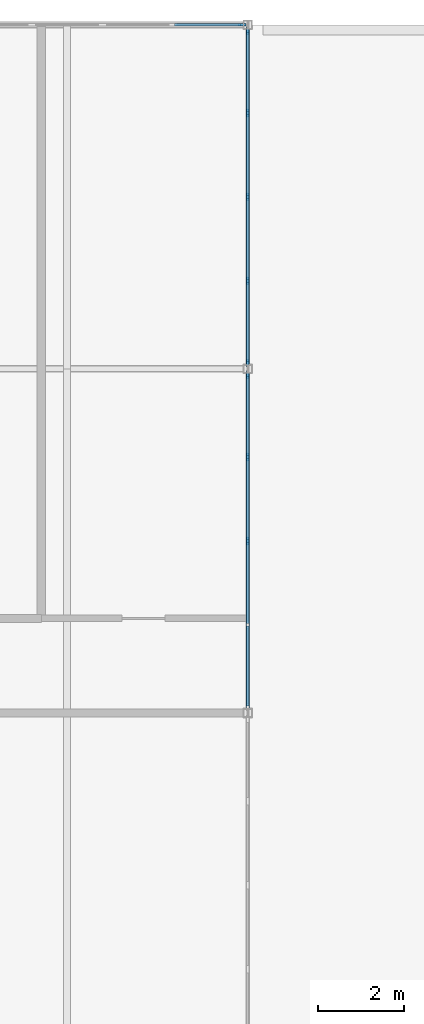
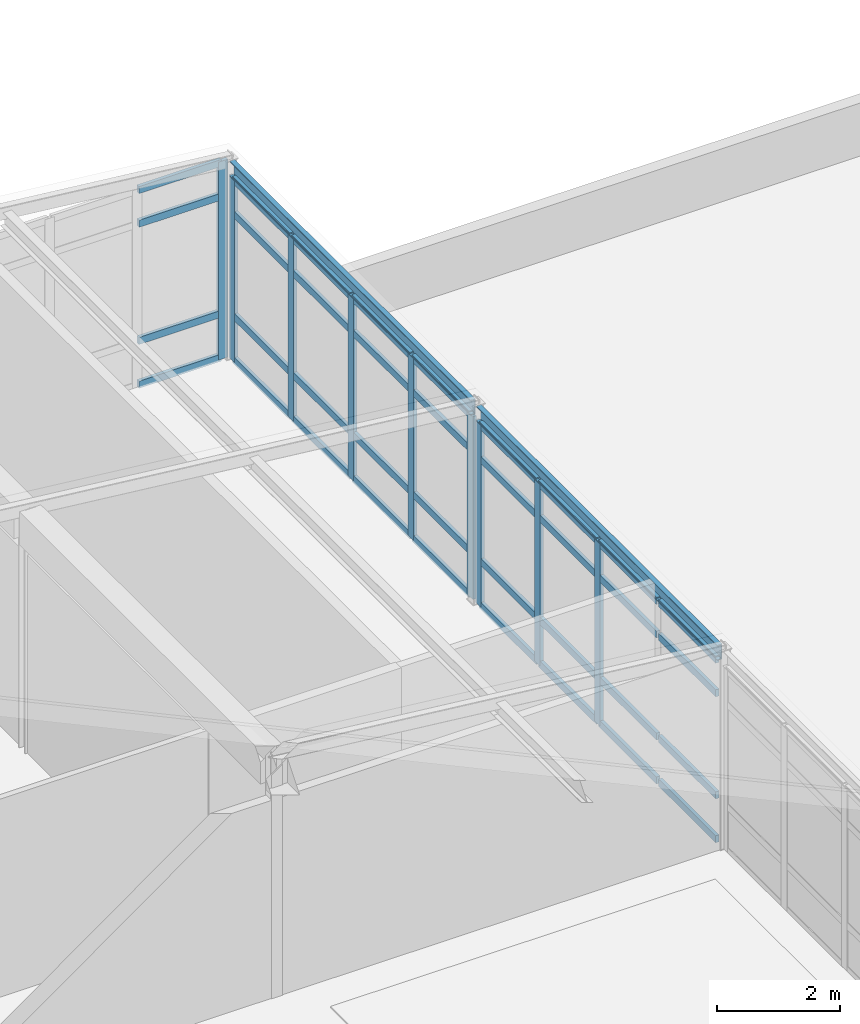
# One storey, part 14 of 25: 45 members, 2 beams, 3 elements without a shape of their own.
"""IFC4 building model written with IfcOpenShell, lengths in metres."""

from ifc_helpers import new_model, si_unit, direction, frame, origin, origin_2d, place, context, subcontext, project, spatial, rectangle, u_section, extrude, material, layer, layer_set, material_profile, profile_set, type_object, element, aggregate, save


model = new_model("IFC4")

# Units and contexts
model_context = context("Model", 3, precision=1e-05, world=origin(), true_north=direction((0.0, 1.0)))
body_context = subcontext(model_context, "Body", "Model", "MODEL_VIEW")
ifc_project = project(units=[si_unit("LENGTHUNIT", "METRE"), si_unit("AREAUNIT", "SQUARE_METRE"), si_unit("VOLUMEUNIT", "CUBIC_METRE"), si_unit("PLANEANGLEUNIT", "RADIAN"), si_unit("MASSUNIT", "GRAM", prefix="KILO")], contexts=[model_context])

# Site, building, storey
site_placement = place(None, origin())
site = spatial("IfcSite", under=ifc_project, at=site_placement, CompositionType="ELEMENT")
building_placement = place(site_placement, origin())
building = spatial("IfcBuilding", under=site, at=building_placement, Name="Kranzveld Transit Interchange", CompositionType="ELEMENT")
storey_placement = place(building_placement, frame((0.0, 0.0, 21.0400390625)))
storey = spatial("IfcBuildingStorey", under=building, at=storey_placement, Name="L05", CompositionType="ELEMENT", Elevation=21.0400390625)

# Curtain wall, members
ifc_material_1 = material(Name="Bronze-anodised thermally broken aluminium", Category="aluminium")
ifc_layer = layer(ifc_material_1, 0.18505859375)
ifc_layer_set = layer_set([ifc_layer], Name="Bronze-anodised thermally broken aluminium")
curtain_wall_type = type_object("IfcCurtainWallType", Name="Control Crown Observation Facade CW-5", PredefinedType="USERDEFINED", material=ifc_layer_set)
curtain_wall_1_placement = place(storey_placement, origin())
curtain_wall_1 = element("IfcCurtainWall", 1, at=curtain_wall_1_placement, inside=storey, type_object=curtain_wall_type, Name="L05 Curtain Wall 05/N-05/P", ObjectType="CURTAIN WALL", PredefinedType="USERDEFINED")
ifc_material_2 = material(Name="Bronze-anodised thermally broken aluminium", Category="aluminium")
ifc_material_profile_1 = material_profile(ifc_material_2, rectangle(XDim=0.06494140625, YDim=0.179931640625, at=origin_2d()), Name="ALU MULLION 65x180")
ifc_profile_set_1 = profile_set([ifc_material_profile_1], Name="Bronze-anodised thermally broken aluminium")
member_type_1 = type_object("IfcMemberType", Name="Curtain Wall Mullion 65x180 Alu", PredefinedType="MULLION", material=ifc_profile_set_1)
member_1_placement = place(storey_placement, frame((33.60009765625, 100.0, 0.0), z_axis=(0.0, 0.0, 1.0), x_axis=(-1.0, 0.0, 0.0)))
member_1 = element("IfcMember", 2, at=member_1_placement, type_object=member_type_1, Name="CW-5 mullion 3", PredefinedType="MULLION", context=body_context, shape_type="SweptSolid", body=[
    extrude(rectangle(XDim=0.06494140625, YDim=0.179931640625, at=origin_2d()), origin(), (0.0, 0.0, 1.0), 3.619873046875),
])
member_2_placement = place(storey_placement, frame((33.60009765625, 101.949951171875, 0.0), z_axis=(0.0, 0.0, 1.0), x_axis=(-1.0, 0.0, 0.0)))
member_2 = element("IfcMember", 3, at=member_2_placement, type_object=member_type_1, Name="CW-5 mullion 4", PredefinedType="MULLION", context=body_context, shape_type="SweptSolid", body=[
    extrude(rectangle(XDim=0.06494140625, YDim=0.179931640625, at=origin_2d()), origin(), (0.0, 0.0, 1.0), 3.619873046875),
])
member_3_placement = place(storey_placement, frame((33.60009765625, 103.867431640625, 0.0), z_axis=(0.0, 0.0, 1.0), x_axis=(-1.0, 0.0, 0.0)))
member_3 = element("IfcMember", 4, at=member_3_placement, type_object=member_type_1, Name="CW-5 mullion 5", PredefinedType="MULLION", context=body_context, shape_type="SweptSolid", body=[
    extrude(rectangle(XDim=0.06494140625, YDim=0.179931640625, at=origin_2d()), origin(), (0.0, 0.0, 1.0), 3.619873046875),
])

curtain_wall_2_placement = place(storey_placement, origin())
curtain_wall_2 = element("IfcCurtainWall", 5, at=curtain_wall_2_placement, inside=storey, type_object=curtain_wall_type, Name="L05 Curtain Wall 05/P-05/Q", ObjectType="CURTAIN WALL", PredefinedType="USERDEFINED")
member_4_placement = place(storey_placement, frame((33.60009765625, 104.132568359375, 0.0), z_axis=(0.0, 0.0, 1.0), x_axis=(-1.0, 0.0, 0.0)))
member_4 = element("IfcMember", 6, at=member_4_placement, type_object=member_type_1, Name="CW-5 mullion 1", PredefinedType="MULLION", context=body_context, shape_type="SweptSolid", body=[
    extrude(rectangle(XDim=0.06494140625, YDim=0.179931640625, at=origin_2d()), origin(), (0.0, 0.0, 1.0), 3.619873046875),
])
member_5_placement = place(storey_placement, frame((33.60009765625, 106.050048828125, 0.0), z_axis=(0.0, 0.0, 1.0), x_axis=(-1.0, 0.0, 0.0)))
member_5 = element("IfcMember", 7, at=member_5_placement, type_object=member_type_1, Name="CW-5 mullion 2", PredefinedType="MULLION", context=body_context, shape_type="SweptSolid", body=[
    extrude(rectangle(XDim=0.06494140625, YDim=0.179931640625, at=origin_2d()), origin(), (0.0, 0.0, 1.0), 3.619873046875),
])
member_6_placement = place(storey_placement, frame((33.60009765625, 108.0, 0.0), z_axis=(0.0, 0.0, 1.0), x_axis=(-1.0, 0.0, 0.0)))
member_6 = element("IfcMember", 8, at=member_6_placement, type_object=member_type_1, Name="CW-5 mullion 3", PredefinedType="MULLION", context=body_context, shape_type="SweptSolid", body=[
    extrude(rectangle(XDim=0.06494140625, YDim=0.179931640625, at=origin_2d()), origin(), (0.0, 0.0, 1.0), 3.619873046875),
])
member_7_placement = place(storey_placement, frame((33.60009765625, 109.949951171875, 0.0), z_axis=(0.0, 0.0, 1.0), x_axis=(-1.0, 0.0, 0.0)))
member_7 = element("IfcMember", 9, at=member_7_placement, type_object=member_type_1, Name="CW-5 mullion 4", PredefinedType="MULLION", context=body_context, shape_type="SweptSolid", body=[
    extrude(rectangle(XDim=0.06494140625, YDim=0.179931640625, at=origin_2d()), origin(), (0.0, 0.0, 1.0), 3.619873046875),
])
member_8_placement = place(storey_placement, frame((33.60009765625, 111.867431640625, 0.0), z_axis=(0.0, 0.0, 1.0), x_axis=(-1.0, 0.0, 0.0)))
member_8 = element("IfcMember", 10, at=member_8_placement, type_object=member_type_1, Name="CW-5 mullion 5", PredefinedType="MULLION", context=body_context, shape_type="SweptSolid", body=[
    extrude(rectangle(XDim=0.06494140625, YDim=0.179931640625, at=origin_2d()), origin(), (0.0, 0.0, 1.0), 3.619873046875),
])

# Curtain wall, member
curtain_wall_3_placement = place(storey_placement, origin())
curtain_wall_3 = element("IfcCurtainWall", 11, at=curtain_wall_3_placement, inside=storey, type_object=curtain_wall_type, Name="L05 Curtain Wall 04/Q-05/Q", ObjectType="CURTAIN WALL", PredefinedType="USERDEFINED")
member_9_placement = place(storey_placement, frame((33.467529296875, 112.0, 0.0), z_axis=(0.0, 0.0, 1.0), x_axis=(0.0, 1.0, 0.0)))
member_9 = element("IfcMember", 12, at=member_9_placement, type_object=member_type_1, Name="CW-5 mullion 6", PredefinedType="MULLION", context=body_context, shape_type="SweptSolid", body=[
    extrude(rectangle(XDim=0.06494140625, YDim=0.179931640625, at=origin_2d()), origin(), (0.0, 0.0, 1.0), 3.919921875),
])

# Member
ifc_material_3 = material(Name="Bronze-anodised thermally broken aluminium", Category="aluminium")
ifc_material_profile_2 = material_profile(ifc_material_3, rectangle(XDim=0.06494140625, YDim=0.139892578125, at=origin_2d()), Name="ALU TRANSOM 65x140")
ifc_profile_set_2 = profile_set([ifc_material_profile_2], Name="Bronze-anodised thermally broken aluminium")
member_type_2 = type_object("IfcMemberType", Name="Curtain Wall Transom 65x140 Alu", PredefinedType="USERDEFINED", material=ifc_profile_set_2)
member_10_placement = place(storey_placement, frame((33.60009765625, 96.1650390625, 0.032470703125), z_axis=(0.0, 1.0, 0.0), x_axis=(-1.0, 0.0, 0.0)))
member_10 = element("IfcMember", 13, at=member_10_placement, type_object=member_type_2, Name="CW-5 transom 1.1", ObjectType="TRANSOM", PredefinedType="USERDEFINED", context=body_context, shape_type="SweptSolid", body=[
    extrude(rectangle(XDim=0.06494140625, YDim=0.139892578125, at=origin_2d()), origin(), (0.0, 0.0, 1.0), 1.8525390625),
])

member_11_placement = place(storey_placement, frame((33.60009765625, 96.1650390625, 0.89990234375), z_axis=(0.0, 1.0, 0.0), x_axis=(-1.0, 0.0, 0.0)))
member_11 = element("IfcMember", 14, at=member_11_placement, type_object=member_type_2, Name="CW-5 transom 1.2", ObjectType="TRANSOM", PredefinedType="USERDEFINED", context=body_context, shape_type="SweptSolid", body=[
    extrude(rectangle(XDim=0.06494140625, YDim=0.139892578125, at=origin_2d()), origin(), (0.0, 0.0, 1.0), 1.8525390625),
])

member_12_placement = place(storey_placement, frame((33.60009765625, 96.1650390625, 2.919921875), z_axis=(0.0, 1.0, 0.0), x_axis=(-1.0, 0.0, 0.0)))
member_12 = element("IfcMember", 15, at=member_12_placement, type_object=member_type_2, Name="CW-5 transom 1.3", ObjectType="TRANSOM", PredefinedType="USERDEFINED", context=body_context, shape_type="SweptSolid", body=[
    extrude(rectangle(XDim=0.06494140625, YDim=0.139892578125, at=origin_2d()), origin(), (0.0, 0.0, 1.0), 1.8525390625),
])

member_13_placement = place(storey_placement, frame((33.60009765625, 96.1650390625, 3.58740234375), z_axis=(0.0, 1.0, 0.0), x_axis=(-1.0, 0.0, 0.0)))
member_13 = element("IfcMember", 16, at=member_13_placement, type_object=member_type_2, Name="CW-5 transom 1.4", ObjectType="TRANSOM", PredefinedType="USERDEFINED", context=body_context, shape_type="SweptSolid", body=[
    extrude(rectangle(XDim=0.06494140625, YDim=0.139892578125, at=origin_2d()), origin(), (0.0, 0.0, 1.0), 1.8525390625),
])

member_14_placement = place(storey_placement, frame((33.60009765625, 98.08251953125, 0.032470703125), z_axis=(0.0, 1.0, 0.0), x_axis=(-1.0, 0.0, 0.0)))
member_14 = element("IfcMember", 17, at=member_14_placement, type_object=member_type_2, Name="CW-5 transom 2.1", ObjectType="TRANSOM", PredefinedType="USERDEFINED", context=body_context, shape_type="SweptSolid", body=[
    extrude(rectangle(XDim=0.06494140625, YDim=0.139892578125, at=origin_2d()), origin(), (0.0, 0.0, 1.0), 1.885009765625),
])

member_15_placement = place(storey_placement, frame((33.60009765625, 98.08251953125, 0.89990234375), z_axis=(0.0, 1.0, 0.0), x_axis=(-1.0, 0.0, 0.0)))
member_15 = element("IfcMember", 18, at=member_15_placement, type_object=member_type_2, Name="CW-5 transom 2.2", ObjectType="TRANSOM", PredefinedType="USERDEFINED", context=body_context, shape_type="SweptSolid", body=[
    extrude(rectangle(XDim=0.06494140625, YDim=0.139892578125, at=origin_2d()), origin(), (0.0, 0.0, 1.0), 1.885009765625),
])

member_16_placement = place(storey_placement, frame((33.60009765625, 98.08251953125, 2.919921875), z_axis=(0.0, 1.0, 0.0), x_axis=(-1.0, 0.0, 0.0)))
member_16 = element("IfcMember", 19, at=member_16_placement, type_object=member_type_2, Name="CW-5 transom 2.3", ObjectType="TRANSOM", PredefinedType="USERDEFINED", context=body_context, shape_type="SweptSolid", body=[
    extrude(rectangle(XDim=0.06494140625, YDim=0.139892578125, at=origin_2d()), origin(), (0.0, 0.0, 1.0), 1.885009765625),
])

member_17_placement = place(storey_placement, frame((33.60009765625, 98.08251953125, 3.58740234375), z_axis=(0.0, 1.0, 0.0), x_axis=(-1.0, 0.0, 0.0)))
member_17 = element("IfcMember", 20, at=member_17_placement, type_object=member_type_2, Name="CW-5 transom 2.4", ObjectType="TRANSOM", PredefinedType="USERDEFINED", context=body_context, shape_type="SweptSolid", body=[
    extrude(rectangle(XDim=0.06494140625, YDim=0.139892578125, at=origin_2d()), origin(), (0.0, 0.0, 1.0), 1.885009765625),
])

member_18_placement = place(storey_placement, frame((33.60009765625, 100.032470703125, 0.032470703125), z_axis=(0.0, 1.0, 0.0), x_axis=(-1.0, 0.0, 0.0)))
member_18 = element("IfcMember", 21, at=member_18_placement, type_object=member_type_2, Name="CW-5 transom 3.1", ObjectType="TRANSOM", PredefinedType="USERDEFINED", context=body_context, shape_type="SweptSolid", body=[
    extrude(rectangle(XDim=0.06494140625, YDim=0.139892578125, at=origin_2d()), origin(), (0.0, 0.0, 1.0), 1.885009765625),
])

member_19_placement = place(storey_placement, frame((33.60009765625, 100.032470703125, 0.89990234375), z_axis=(0.0, 1.0, 0.0), x_axis=(-1.0, 0.0, 0.0)))
member_19 = element("IfcMember", 22, at=member_19_placement, type_object=member_type_2, Name="CW-5 transom 3.2", ObjectType="TRANSOM", PredefinedType="USERDEFINED", context=body_context, shape_type="SweptSolid", body=[
    extrude(rectangle(XDim=0.06494140625, YDim=0.139892578125, at=origin_2d()), origin(), (0.0, 0.0, 1.0), 1.885009765625),
])

member_20_placement = place(storey_placement, frame((33.60009765625, 100.032470703125, 2.919921875), z_axis=(0.0, 1.0, 0.0), x_axis=(-1.0, 0.0, 0.0)))
member_20 = element("IfcMember", 23, at=member_20_placement, type_object=member_type_2, Name="CW-5 transom 3.3", ObjectType="TRANSOM", PredefinedType="USERDEFINED", context=body_context, shape_type="SweptSolid", body=[
    extrude(rectangle(XDim=0.06494140625, YDim=0.139892578125, at=origin_2d()), origin(), (0.0, 0.0, 1.0), 1.885009765625),
])

member_21_placement = place(storey_placement, frame((33.60009765625, 100.032470703125, 3.58740234375), z_axis=(0.0, 1.0, 0.0), x_axis=(-1.0, 0.0, 0.0)))
member_21 = element("IfcMember", 24, at=member_21_placement, type_object=member_type_2, Name="CW-5 transom 3.4", ObjectType="TRANSOM", PredefinedType="USERDEFINED", context=body_context, shape_type="SweptSolid", body=[
    extrude(rectangle(XDim=0.06494140625, YDim=0.139892578125, at=origin_2d()), origin(), (0.0, 0.0, 1.0), 1.885009765625),
])

member_22_placement = place(storey_placement, frame((33.60009765625, 101.982421875, 0.032470703125), z_axis=(0.0, 1.0, 0.0), x_axis=(-1.0, 0.0, 0.0)))
member_22 = element("IfcMember", 25, at=member_22_placement, type_object=member_type_2, Name="CW-5 transom 4.1", ObjectType="TRANSOM", PredefinedType="USERDEFINED", context=body_context, shape_type="SweptSolid", body=[
    extrude(rectangle(XDim=0.06494140625, YDim=0.139892578125, at=origin_2d()), origin(), (0.0, 0.0, 1.0), 1.8525390625),
])

member_23_placement = place(storey_placement, frame((33.60009765625, 101.982421875, 0.89990234375), z_axis=(0.0, 1.0, 0.0), x_axis=(-1.0, 0.0, 0.0)))
member_23 = element("IfcMember", 26, at=member_23_placement, type_object=member_type_2, Name="CW-5 transom 4.2", ObjectType="TRANSOM", PredefinedType="USERDEFINED", context=body_context, shape_type="SweptSolid", body=[
    extrude(rectangle(XDim=0.06494140625, YDim=0.139892578125, at=origin_2d()), origin(), (0.0, 0.0, 1.0), 1.8525390625),
])

member_24_placement = place(storey_placement, frame((33.60009765625, 101.982421875, 2.919921875), z_axis=(0.0, 1.0, 0.0), x_axis=(-1.0, 0.0, 0.0)))
member_24 = element("IfcMember", 27, at=member_24_placement, type_object=member_type_2, Name="CW-5 transom 4.3", ObjectType="TRANSOM", PredefinedType="USERDEFINED", context=body_context, shape_type="SweptSolid", body=[
    extrude(rectangle(XDim=0.06494140625, YDim=0.139892578125, at=origin_2d()), origin(), (0.0, 0.0, 1.0), 1.8525390625),
])

member_25_placement = place(storey_placement, frame((33.60009765625, 101.982421875, 3.58740234375), z_axis=(0.0, 1.0, 0.0), x_axis=(-1.0, 0.0, 0.0)))
member_25 = element("IfcMember", 28, at=member_25_placement, type_object=member_type_2, Name="CW-5 transom 4.4", ObjectType="TRANSOM", PredefinedType="USERDEFINED", context=body_context, shape_type="SweptSolid", body=[
    extrude(rectangle(XDim=0.06494140625, YDim=0.139892578125, at=origin_2d()), origin(), (0.0, 0.0, 1.0), 1.8525390625),
])

aggregate(curtain_wall_1, [member_1, member_2, member_3, member_10, member_11, member_12, member_13, member_14, member_15, member_16, member_17, member_18, member_19, member_20, member_21, member_22, member_23, member_24, member_25])

member_26_placement = place(storey_placement, frame((33.60009765625, 104.1650390625, 0.032470703125), z_axis=(0.0, 1.0, 0.0), x_axis=(-1.0, 0.0, 0.0)))
member_26 = element("IfcMember", 29, at=member_26_placement, type_object=member_type_2, Name="CW-5 transom 1.1", ObjectType="TRANSOM", PredefinedType="USERDEFINED", context=body_context, shape_type="SweptSolid", body=[
    extrude(rectangle(XDim=0.06494140625, YDim=0.139892578125, at=origin_2d()), origin(), (0.0, 0.0, 1.0), 1.8525390625),
])

member_27_placement = place(storey_placement, frame((33.60009765625, 104.1650390625, 0.89990234375), z_axis=(0.0, 1.0, 0.0), x_axis=(-1.0, 0.0, 0.0)))
member_27 = element("IfcMember", 30, at=member_27_placement, type_object=member_type_2, Name="CW-5 transom 1.2", ObjectType="TRANSOM", PredefinedType="USERDEFINED", context=body_context, shape_type="SweptSolid", body=[
    extrude(rectangle(XDim=0.06494140625, YDim=0.139892578125, at=origin_2d()), origin(), (0.0, 0.0, 1.0), 1.8525390625),
])

member_28_placement = place(storey_placement, frame((33.60009765625, 104.1650390625, 2.919921875), z_axis=(0.0, 1.0, 0.0), x_axis=(-1.0, 0.0, 0.0)))
member_28 = element("IfcMember", 31, at=member_28_placement, type_object=member_type_2, Name="CW-5 transom 1.3", ObjectType="TRANSOM", PredefinedType="USERDEFINED", context=body_context, shape_type="SweptSolid", body=[
    extrude(rectangle(XDim=0.06494140625, YDim=0.139892578125, at=origin_2d()), origin(), (0.0, 0.0, 1.0), 1.8525390625),
])

member_29_placement = place(storey_placement, frame((33.60009765625, 104.1650390625, 3.58740234375), z_axis=(0.0, 1.0, 0.0), x_axis=(-1.0, 0.0, 0.0)))
member_29 = element("IfcMember", 32, at=member_29_placement, type_object=member_type_2, Name="CW-5 transom 1.4", ObjectType="TRANSOM", PredefinedType="USERDEFINED", context=body_context, shape_type="SweptSolid", body=[
    extrude(rectangle(XDim=0.06494140625, YDim=0.139892578125, at=origin_2d()), origin(), (0.0, 0.0, 1.0), 1.8525390625),
])

member_30_placement = place(storey_placement, frame((33.60009765625, 106.08251953125, 0.032470703125), z_axis=(0.0, 1.0, 0.0), x_axis=(-1.0, 0.0, 0.0)))
member_30 = element("IfcMember", 33, at=member_30_placement, type_object=member_type_2, Name="CW-5 transom 2.1", ObjectType="TRANSOM", PredefinedType="USERDEFINED", context=body_context, shape_type="SweptSolid", body=[
    extrude(rectangle(XDim=0.06494140625, YDim=0.139892578125, at=origin_2d()), origin(), (0.0, 0.0, 1.0), 1.885009765625),
])

member_31_placement = place(storey_placement, frame((33.60009765625, 106.08251953125, 0.89990234375), z_axis=(0.0, 1.0, 0.0), x_axis=(-1.0, 0.0, 0.0)))
member_31 = element("IfcMember", 34, at=member_31_placement, type_object=member_type_2, Name="CW-5 transom 2.2", ObjectType="TRANSOM", PredefinedType="USERDEFINED", context=body_context, shape_type="SweptSolid", body=[
    extrude(rectangle(XDim=0.06494140625, YDim=0.139892578125, at=origin_2d()), origin(), (0.0, 0.0, 1.0), 1.885009765625),
])

member_32_placement = place(storey_placement, frame((33.60009765625, 106.08251953125, 2.919921875), z_axis=(0.0, 1.0, 0.0), x_axis=(-1.0, 0.0, 0.0)))
member_32 = element("IfcMember", 35, at=member_32_placement, type_object=member_type_2, Name="CW-5 transom 2.3", ObjectType="TRANSOM", PredefinedType="USERDEFINED", context=body_context, shape_type="SweptSolid", body=[
    extrude(rectangle(XDim=0.06494140625, YDim=0.139892578125, at=origin_2d()), origin(), (0.0, 0.0, 1.0), 1.885009765625),
])

member_33_placement = place(storey_placement, frame((33.60009765625, 106.08251953125, 3.58740234375), z_axis=(0.0, 1.0, 0.0), x_axis=(-1.0, 0.0, 0.0)))
member_33 = element("IfcMember", 36, at=member_33_placement, type_object=member_type_2, Name="CW-5 transom 2.4", ObjectType="TRANSOM", PredefinedType="USERDEFINED", context=body_context, shape_type="SweptSolid", body=[
    extrude(rectangle(XDim=0.06494140625, YDim=0.139892578125, at=origin_2d()), origin(), (0.0, 0.0, 1.0), 1.885009765625),
])

member_34_placement = place(storey_placement, frame((33.60009765625, 108.032470703125, 0.032470703125), z_axis=(0.0, 1.0, 0.0), x_axis=(-1.0, 0.0, 0.0)))
member_34 = element("IfcMember", 37, at=member_34_placement, type_object=member_type_2, Name="CW-5 transom 3.1", ObjectType="TRANSOM", PredefinedType="USERDEFINED", context=body_context, shape_type="SweptSolid", body=[
    extrude(rectangle(XDim=0.06494140625, YDim=0.139892578125, at=origin_2d()), origin(), (0.0, 0.0, 1.0), 1.885009765625),
])

member_35_placement = place(storey_placement, frame((33.60009765625, 108.032470703125, 0.89990234375), z_axis=(0.0, 1.0, 0.0), x_axis=(-1.0, 0.0, 0.0)))
member_35 = element("IfcMember", 38, at=member_35_placement, type_object=member_type_2, Name="CW-5 transom 3.2", ObjectType="TRANSOM", PredefinedType="USERDEFINED", context=body_context, shape_type="SweptSolid", body=[
    extrude(rectangle(XDim=0.06494140625, YDim=0.139892578125, at=origin_2d()), origin(), (0.0, 0.0, 1.0), 1.885009765625),
])

member_36_placement = place(storey_placement, frame((33.60009765625, 108.032470703125, 2.919921875), z_axis=(0.0, 1.0, 0.0), x_axis=(-1.0, 0.0, 0.0)))
member_36 = element("IfcMember", 39, at=member_36_placement, type_object=member_type_2, Name="CW-5 transom 3.3", ObjectType="TRANSOM", PredefinedType="USERDEFINED", context=body_context, shape_type="SweptSolid", body=[
    extrude(rectangle(XDim=0.06494140625, YDim=0.139892578125, at=origin_2d()), origin(), (0.0, 0.0, 1.0), 1.885009765625),
])

member_37_placement = place(storey_placement, frame((33.60009765625, 108.032470703125, 3.58740234375), z_axis=(0.0, 1.0, 0.0), x_axis=(-1.0, 0.0, 0.0)))
member_37 = element("IfcMember", 40, at=member_37_placement, type_object=member_type_2, Name="CW-5 transom 3.4", ObjectType="TRANSOM", PredefinedType="USERDEFINED", context=body_context, shape_type="SweptSolid", body=[
    extrude(rectangle(XDim=0.06494140625, YDim=0.139892578125, at=origin_2d()), origin(), (0.0, 0.0, 1.0), 1.885009765625),
])

member_38_placement = place(storey_placement, frame((33.60009765625, 109.982421875, 0.032470703125), z_axis=(0.0, 1.0, 0.0), x_axis=(-1.0, 0.0, 0.0)))
member_38 = element("IfcMember", 41, at=member_38_placement, type_object=member_type_2, Name="CW-5 transom 4.1", ObjectType="TRANSOM", PredefinedType="USERDEFINED", context=body_context, shape_type="SweptSolid", body=[
    extrude(rectangle(XDim=0.06494140625, YDim=0.139892578125, at=origin_2d()), origin(), (0.0, 0.0, 1.0), 1.8525390625),
])

member_39_placement = place(storey_placement, frame((33.60009765625, 109.982421875, 0.89990234375), z_axis=(0.0, 1.0, 0.0), x_axis=(-1.0, 0.0, 0.0)))
member_39 = element("IfcMember", 42, at=member_39_placement, type_object=member_type_2, Name="CW-5 transom 4.2", ObjectType="TRANSOM", PredefinedType="USERDEFINED", context=body_context, shape_type="SweptSolid", body=[
    extrude(rectangle(XDim=0.06494140625, YDim=0.139892578125, at=origin_2d()), origin(), (0.0, 0.0, 1.0), 1.8525390625),
])

member_40_placement = place(storey_placement, frame((33.60009765625, 109.982421875, 2.919921875), z_axis=(0.0, 1.0, 0.0), x_axis=(-1.0, 0.0, 0.0)))
member_40 = element("IfcMember", 43, at=member_40_placement, type_object=member_type_2, Name="CW-5 transom 4.3", ObjectType="TRANSOM", PredefinedType="USERDEFINED", context=body_context, shape_type="SweptSolid", body=[
    extrude(rectangle(XDim=0.06494140625, YDim=0.139892578125, at=origin_2d()), origin(), (0.0, 0.0, 1.0), 1.8525390625),
])

member_41_placement = place(storey_placement, frame((33.60009765625, 109.982421875, 3.58740234375), z_axis=(0.0, 1.0, 0.0), x_axis=(-1.0, 0.0, 0.0)))
member_41 = element("IfcMember", 44, at=member_41_placement, type_object=member_type_2, Name="CW-5 transom 4.4", ObjectType="TRANSOM", PredefinedType="USERDEFINED", context=body_context, shape_type="SweptSolid", body=[
    extrude(rectangle(XDim=0.06494140625, YDim=0.139892578125, at=origin_2d()), origin(), (0.0, 0.0, 1.0), 1.8525390625),
])

aggregate(curtain_wall_2, [member_4, member_5, member_6, member_7, member_8, member_26, member_27, member_28, member_29, member_30, member_31, member_32, member_33, member_34, member_35, member_36, member_37, member_38, member_39, member_40, member_41])

member_42_placement = place(storey_placement, frame((31.892822265625, 112.0, 0.032470703125), z_axis=(1.0, 0.0, 0.0), x_axis=(0.0, 1.0, 0.0)))
member_42 = element("IfcMember", 45, at=member_42_placement, type_object=member_type_2, Name="CW-5 transom 5.1", ObjectType="TRANSOM", PredefinedType="USERDEFINED", context=body_context, shape_type="SweptSolid", body=[
    extrude(rectangle(XDim=0.06494140625, YDim=0.139892578125, at=origin_2d()), origin(), (0.0, 0.0, 1.0), 1.542236328125),
])

member_43_placement = place(storey_placement, frame((31.892822265625, 112.0, 0.89990234375), z_axis=(1.0, 0.0, 0.0), x_axis=(0.0, 1.0, 0.0)))
member_43 = element("IfcMember", 46, at=member_43_placement, type_object=member_type_2, Name="CW-5 transom 5.2", ObjectType="TRANSOM", PredefinedType="USERDEFINED", context=body_context, shape_type="SweptSolid", body=[
    extrude(rectangle(XDim=0.06494140625, YDim=0.139892578125, at=origin_2d()), origin(), (0.0, 0.0, 1.0), 1.542236328125),
])

member_44_placement = place(storey_placement, frame((31.892822265625, 112.0, 3.219970703125), z_axis=(1.0, 0.0, 0.0), x_axis=(0.0, 1.0, 0.0)))
member_44 = element("IfcMember", 47, at=member_44_placement, type_object=member_type_2, Name="CW-5 transom 5.3", ObjectType="TRANSOM", PredefinedType="USERDEFINED", context=body_context, shape_type="SweptSolid", body=[
    extrude(rectangle(XDim=0.06494140625, YDim=0.139892578125, at=origin_2d()), origin(), (0.0, 0.0, 1.0), 1.542236328125),
])

member_45_placement = place(storey_placement, frame((31.892822265625, 112.0, 3.887451171875), z_axis=(1.0, 0.0, 0.0), x_axis=(0.0, 1.0, 0.0)))
member_45 = element("IfcMember", 48, at=member_45_placement, type_object=member_type_2, Name="CW-5 transom 5.4", ObjectType="TRANSOM", PredefinedType="USERDEFINED", context=body_context, shape_type="SweptSolid", body=[
    extrude(rectangle(XDim=0.06494140625, YDim=0.139892578125, at=origin_2d()), origin(), (0.0, 0.0, 1.0), 1.542236328125),
])

aggregate(curtain_wall_3, [member_9, member_42, member_43, member_44, member_45])

# Beams
ifc_material_4 = material(Name="Steel S355JR", Category="steel")
ifc_material_profile_3 = material_profile(ifc_material_4, u_section(Depth=0.300048828125, FlangeWidth=0.090087890625, WebThickness=0.009033203125, FlangeThickness=0.015380859375, FilletRadius=0.011962890625, at=origin_2d()), Name="PFC 300x90x41")
ifc_profile_set_3 = profile_set([ifc_material_profile_3], Name="Steel S355JR")
beam_type = type_object("IfcBeamType", Name="Edge Spandrel PFC 300x90x41 S355JR", PredefinedType="SPANDREL", material=ifc_profile_set_3)
for number, where, z_axis, x_axis, name in (
    (49, (33.60009765625, 96.090087890625, 3.77001953125), (0.0, 1.0, 0.0), (-1.0, 0.0, 0.0), "L05 Crown Beam 05/N-P"),
    (50, (33.60009765625, 104.090087890625, 3.77001953125), (0.0, 1.0, 0.0), (-1.0, 0.0, 0.0), "L05 Crown Beam 05/P-Q"),
):
    element("IfcBeam", number, at=place(storey_placement, frame(where, z_axis=z_axis, x_axis=x_axis)), inside=storey, type_object=beam_type, Name=name, PredefinedType="SPANDREL", context=body_context, shape_type="SweptSolid", body=[
        extrude(u_section(Depth=0.300048828125, FlangeWidth=0.090087890625, WebThickness=0.009033203125, FlangeThickness=0.015380859375, FilletRadius=0.011962890625, at=origin_2d()), origin(), (0.0, 0.0, 1.0), 7.81982421875),
    ])

save(model, "model.ifc")
